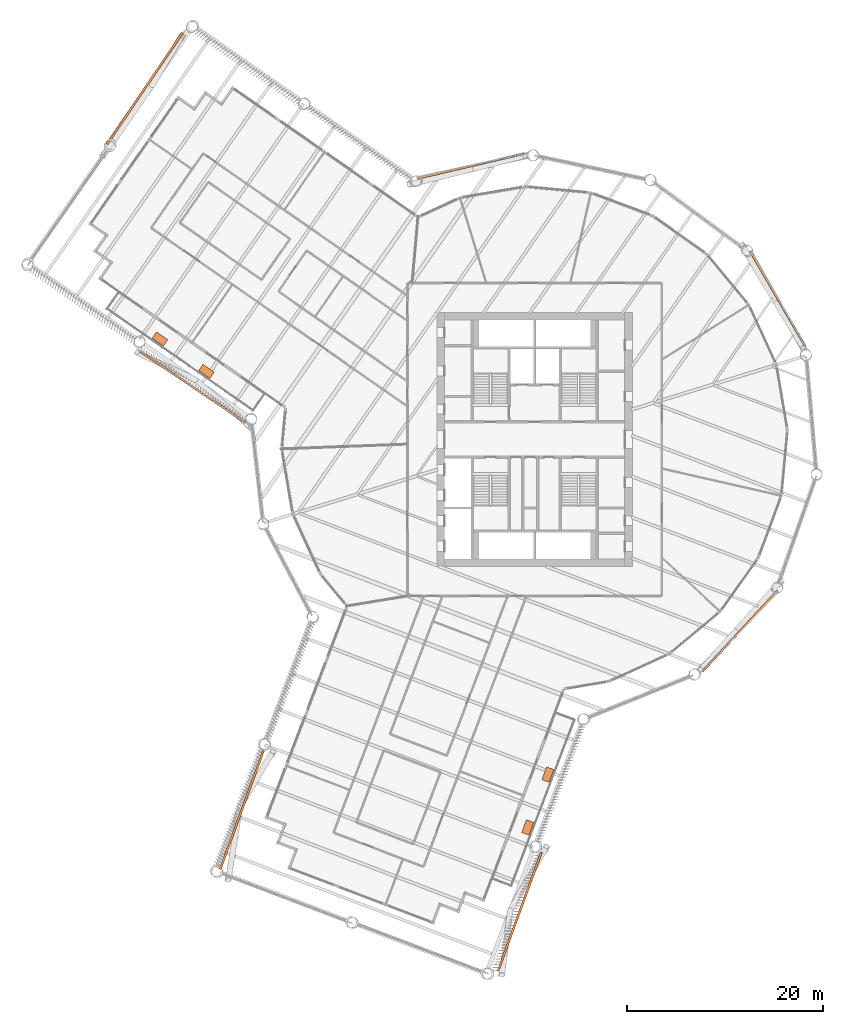
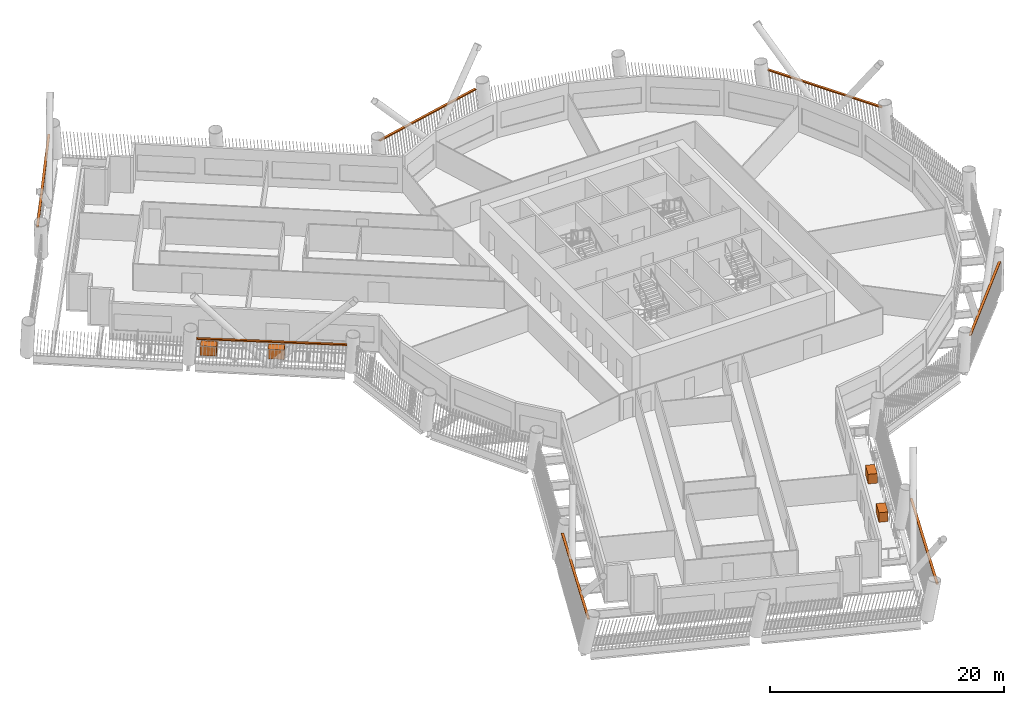
# One storey, part 23 of 23: 11 proxies.
"""IFC4 building model written with IfcOpenShell, lengths in metres."""

from ifc_helpers import new_model, si_unit, direction, frame, origin, origin_2d, place, context, subcontext, project, spatial, rectangle, extrude, material, type_object, element, save


model = new_model("IFC4")

# Units and contexts
model_context = context("Model", 3, precision=1e-05, world=origin(), true_north=direction((0.0, 1.0)))
body_context = subcontext(model_context, "Body", "Model", "MODEL_VIEW")
ifc_project = project(units=[si_unit("LENGTHUNIT", "METRE"), si_unit("AREAUNIT", "SQUARE_METRE"), si_unit("VOLUMEUNIT", "CUBIC_METRE"), si_unit("PLANEANGLEUNIT", "RADIAN"), si_unit("MASSUNIT", "GRAM", prefix="KILO")], contexts=[model_context])

# Site, building, storey
site_placement = place(None, origin())
site = spatial("IfcSite", under=ifc_project, at=site_placement, CompositionType="ELEMENT")
building_placement = place(site_placement, origin())
building = spatial("IfcBuilding", under=site, at=building_placement, Name="Tarsis Ring Headquarters", CompositionType="ELEMENT")
storey_placement = place(building_placement, frame((0.0, 0.0, 131.800048828125)))
storey = spatial("IfcBuildingStorey", under=building, at=storey_placement, Name="L30", CompositionType="ELEMENT", Elevation=131.800048828125)

# Proxies
ifc_material_1 = material(Name="Structural steel S355", Category="steel")
building_element_proxy_type_1 = type_object("IfcBuildingElementProxyType", Name="Screen bracket plate", PredefinedType="USERDEFINED", material=ifc_material_1)
for number, where, z_axis, x_axis, name in (
    (1, (-29.932373046875, -37.8798828125, 2.952392578125), (0.0, 0.0, 1.0), (-0.343003966635, -0.939333954924, 0.0), "Screen bracket L30-02"),
    (2, (-1.520263671875, -48.2548828125, 2.952392578125), (0.0, 0.0, 1.0), (0.343004032213, 0.939333930978, 0.0), "Screen bracket L30-05"),
):
    element("IfcBuildingElementProxy", number, at=place(storey_placement, frame(where, z_axis=z_axis, x_axis=x_axis)), inside=storey, type_object=building_element_proxy_type_1, Name=name, ObjectType="Bracket", PredefinedType="USERDEFINED", context=body_context, shape_type="SweptSolid", body=[
        extrude(rectangle(XDim=12.90234375, YDim=0.222900390625, at=origin_2d()), origin(), (0.0, 0.0, 1.0), 0.1201171875),
    ])
for number, where, z_axis, x_axis, name in (
    (3, (21.032470703125, -19.5556640625, 2.952392578125), (0.0, 0.0, 1.0), (0.680928321265, 0.732350067453, 0.0), "Screen bracket L30-08"),
    (4, (24.843505859375, 14.40771484375, 2.952392578125), (0.0, 0.0, 1.0), (-0.501680584477, 0.865052941246, 0.0), "Screen bracket L30-11"),
    (5, (-6.528076171875, 27.96728515625, 2.952392578125), (0.0, 0.0, 1.0), (-0.973822575862, -0.227309460298, 0.0), "Screen bracket L30-14"),
):
    element("IfcBuildingElementProxy", number, at=place(storey_placement, frame(where, z_axis=z_axis, x_axis=x_axis)), inside=storey, type_object=building_element_proxy_type_1, Name=name, ObjectType="Bracket", PredefinedType="USERDEFINED", context=body_context, shape_type="SweptSolid", body=[
        extrude(rectangle(XDim=11.248779296875, YDim=0.222900390625, at=origin_2d()), origin(), (0.0, 0.0, 1.0), 0.1201171875),
    ])
proxy_1_placement = place(storey_placement, frame((-39.86572265625, 35.883056640625, 2.952392578125), z_axis=(0.0, 0.0, 1.0), x_axis=(-0.560060733898, -0.828451552202, 0.0)))
element("IfcBuildingElementProxy", 6, at=proxy_1_placement, inside=storey, type_object=building_element_proxy_type_1, Name="Screen bracket L30-17", ObjectType="Bracket", PredefinedType="USERDEFINED", context=body_context, shape_type="SweptSolid", body=[
    extrude(rectangle(XDim=13.800048828125, YDim=0.222900390625, at=origin_2d()), origin(), (0.0, 0.0, 1.0), 0.1201171875),
])
proxy_2_placement = place(storey_placement, frame((-34.936279296875, 5.363037109375, 2.952392578125), z_axis=(0.0, 0.0, 1.0), x_axis=(0.828451522877, -0.560060777275, 0.0)))
element("IfcBuildingElementProxy", 7, at=proxy_2_placement, inside=storey, type_object=building_element_proxy_type_1, Name="Screen bracket L30-20", ObjectType="Bracket", PredefinedType="USERDEFINED", context=body_context, shape_type="SweptSolid", body=[
    extrude(rectangle(XDim=12.90234375, YDim=0.222900390625, at=origin_2d()), origin(), (0.0, 0.0, 1.0), 0.1201171875),
])
ifc_material_2 = material(Name="Planter soil mix and tree")
building_element_proxy_type_2 = type_object("IfcBuildingElementProxyType", Name="Tree planter", PredefinedType="USERDEFINED", material=ifc_material_2)
for number, where, z_axis, x_axis, name in (
    (8, (-38.306396484375, 10.27587890625, 0.0), (0.0, 0.0, 1.0), (0.820750575823, -0.571286698852, 0.0), "Tree planter L30-01.2"),
    (9, (-33.5517578125, 6.966552734375, 0.0), (0.0, 0.0, 1.0), (0.820750575823, -0.571286698852, 0.0), "Tree planter L30-01.3"),
    (10, (-0.706298828125, -39.661865234375, 0.0), (0.0, 0.0, 1.0), (0.355759523569, 0.934577530968, 0.0), "Tree planter L30-16.2"),
    (11, (1.352783203125, -34.252685546875, 0.0), (0.0, 0.0, 1.0), (0.355759523569, 0.934577530968, 0.0), "Tree planter L30-16.3"),
):
    element("IfcBuildingElementProxy", number, at=place(storey_placement, frame(where, z_axis=z_axis, x_axis=x_axis)), inside=storey, type_object=building_element_proxy_type_2, Name=name, ObjectType="Planter", PredefinedType="USERDEFINED", context=body_context, shape_type="SweptSolid", body=[
        extrude(rectangle(XDim=1.39990234375, YDim=0.800048828125, at=origin_2d()), origin(), (0.0, 0.0, 1.0), 1.0),
    ])

save(model, "model.ifc")
